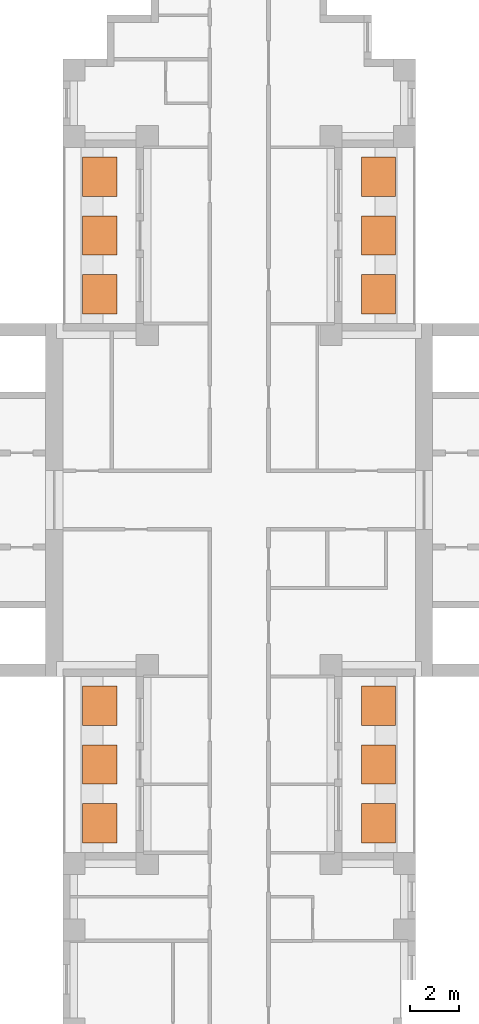
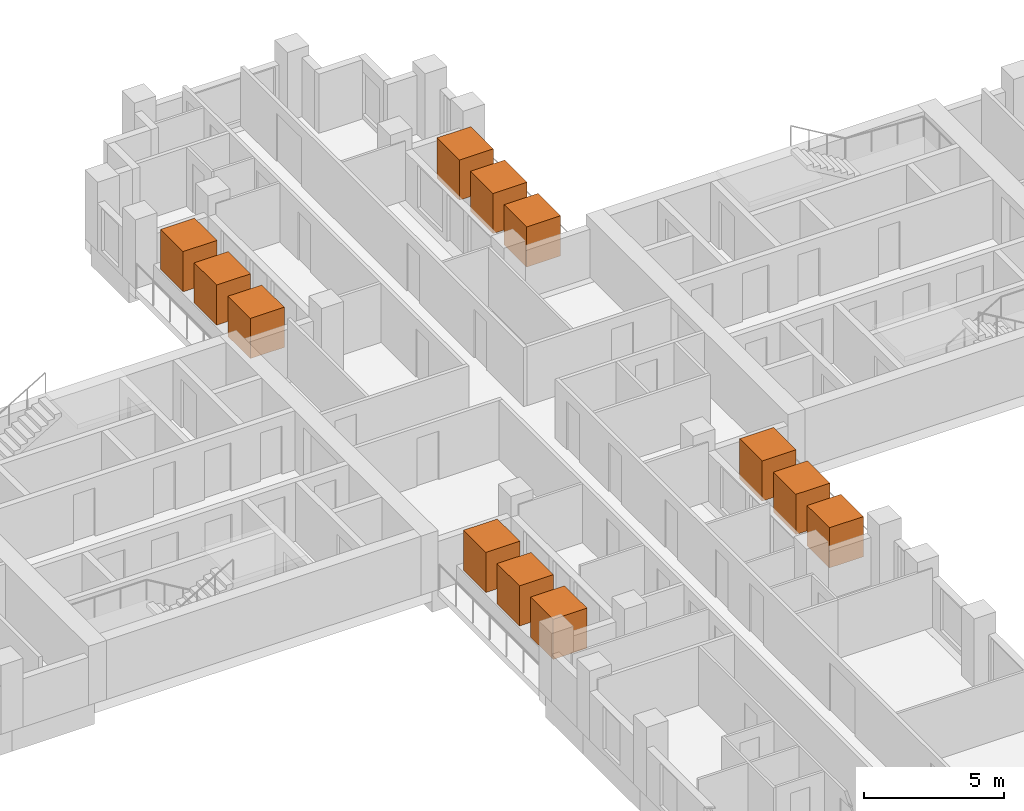
# One storey, part 13 of 13: 12 geographic elements.
"""IFC4 building model written with IfcOpenShell, lengths in metres."""

from ifc_helpers import new_model, si_unit, direction, frame, origin, origin_2d, place, context, subcontext, project, spatial, rectangle, extrude, material, element, save


model = new_model("IFC4")

# Units and contexts
model_context = context("Model", 3, precision=1e-05, world=origin(), true_north=direction((0.0, 1.0)))
body_context = subcontext(model_context, "Body", "Model", "MODEL_VIEW")
ifc_project = project(units=[si_unit("LENGTHUNIT", "METRE"), si_unit("AREAUNIT", "SQUARE_METRE"), si_unit("VOLUMEUNIT", "CUBIC_METRE"), si_unit("PLANEANGLEUNIT", "RADIAN"), si_unit("MASSUNIT", "GRAM", prefix="KILO")], contexts=[model_context])

# Site, building, storey
site_placement = place(None, origin())
site = spatial("IfcSite", under=ifc_project, at=site_placement, CompositionType="ELEMENT")
building_placement = place(site_placement, origin())
building = spatial("IfcBuilding", under=site, at=building_placement, Name="Fustian Cross Tower", CompositionType="ELEMENT")
storey_placement = place(building_placement, frame((0.0, 0.0, 81.89990234375)))
storey = spatial("IfcBuildingStorey", under=building, at=storey_placement, Name="L25", CompositionType="ELEMENT", Elevation=81.89990234375)

# Geographic elements
ifc_material = material(Name="Evergreen foliage")
for number, where, z_axis, x_axis, name in (
    (1, (5.68994140625, 8.39990234375, 0.800048828125), (0.0, 0.0, 1.0), (1.0, 0.0, 0.0), "TREE field maple"),
    (2, (5.68994140625, 10.800048828125, 0.800048828125), (0.0, 0.0, 1.0), (1.0, 0.0, 0.0), "TREE field maple"),
    (3, (5.68994140625, 13.199951171875, 0.800048828125), (0.0, 0.0, 1.0), (1.0, 0.0, 0.0), "TREE field maple"),
    (4, (-5.68994140625, 8.39990234375, 0.800048828125), (0.0, 0.0, 1.0), (1.0, 0.0, 0.0), "TREE field maple"),
    (5, (-5.68994140625, 10.800048828125, 0.800048828125), (0.0, 0.0, 1.0), (1.0, 0.0, 0.0), "TREE field maple"),
    (6, (-5.68994140625, 13.199951171875, 0.800048828125), (0.0, 0.0, 1.0), (1.0, 0.0, 0.0), "TREE field maple"),
    (7, (5.68994140625, -13.199951171875, 0.800048828125), (0.0, 0.0, 1.0), (1.0, 0.0, 0.0), "TREE field maple"),
    (8, (5.68994140625, -10.800048828125, 0.800048828125), (0.0, 0.0, 1.0), (1.0, 0.0, 0.0), "TREE field maple"),
    (9, (5.68994140625, -8.39990234375, 0.800048828125), (0.0, 0.0, 1.0), (1.0, 0.0, 0.0), "TREE field maple"),
    (10, (-5.68994140625, -13.199951171875, 0.800048828125), (0.0, 0.0, 1.0), (1.0, 0.0, 0.0), "TREE field maple"),
    (11, (-5.68994140625, -10.800048828125, 0.800048828125), (0.0, 0.0, 1.0), (1.0, 0.0, 0.0), "TREE field maple"),
    (12, (-5.68994140625, -8.39990234375, 0.800048828125), (0.0, 0.0, 1.0), (1.0, 0.0, 0.0), "TREE field maple"),
):
    element("IfcGeographicElement", number, at=place(storey_placement, frame(where, z_axis=z_axis, x_axis=x_axis)), inside=storey, material=ifc_material, Name=name, ObjectType="VEGETATION", PredefinedType="USERDEFINED", context=body_context, shape_type="SweptSolid", body=[
        extrude(rectangle(XDim=1.39990234375, YDim=1.60009765625, at=origin_2d()), origin(), (0.0, 0.0, 1.0), 1.75),
    ])

save(model, "model.ifc")
